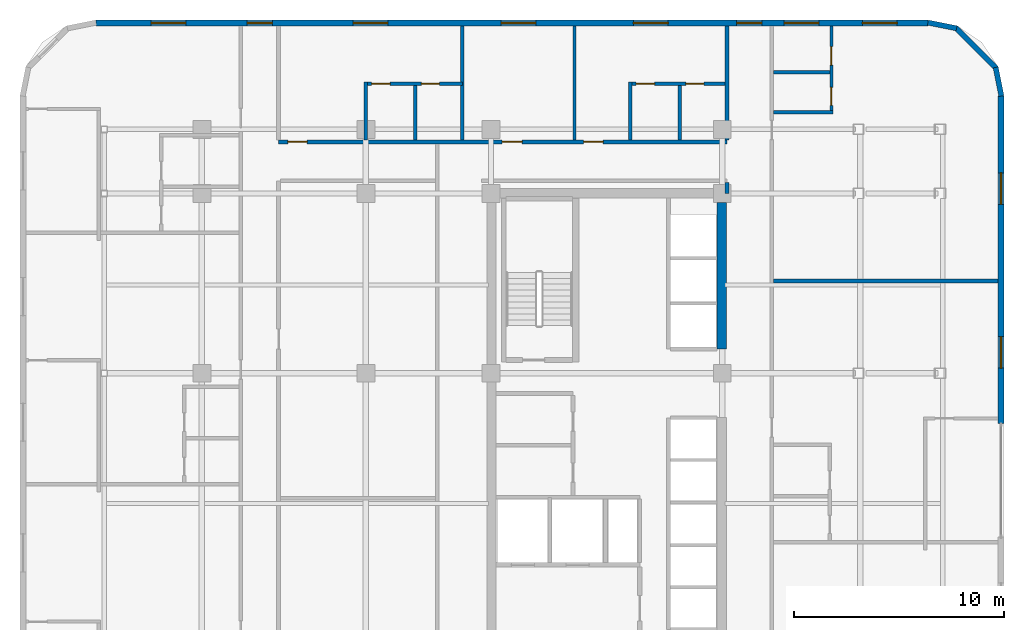
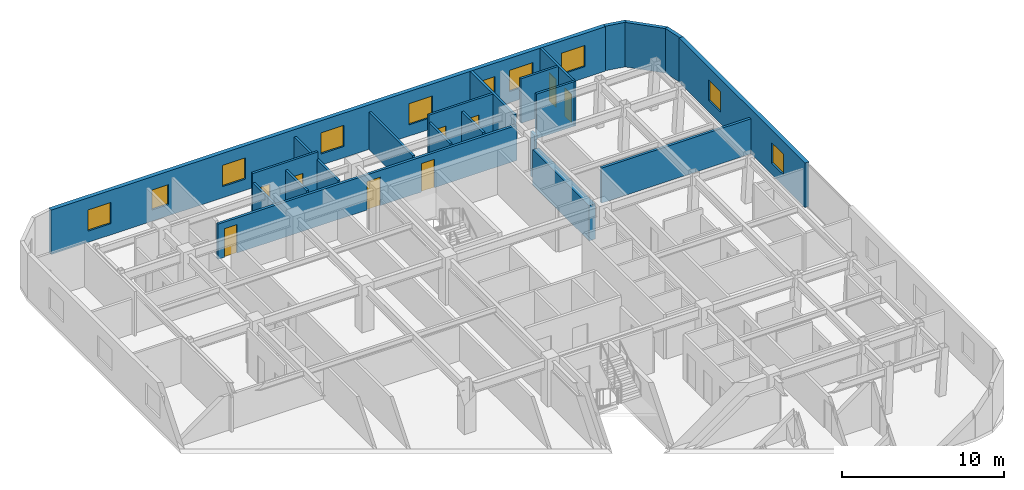
# One storey, part 11 of 13: 21 walls, 10 windows, 9 doors, 19 openings.
"""IFC4 building model written with IfcOpenShell, lengths in metres."""

import ifcopenshell
import ifcopenshell.guid

model = None  # the IFC model being written
_history = None  # IfcOwnerHistory: only IFC2X3 demands one
_inside = {}  # id of a spatial element -> (the spatial element, [elements in it])
_under = {}  # id of a project, library or spatial element -> (it, [spatial elements below it])
_declared = {}  # id of a project -> (the project, [libraries it declares])
_typed = {}  # id of a type object -> (the type object, [elements of that type])
_made_of = {}  # id of a material, layer set ... -> (it, [elements and type objects made of it])


def new_model(schema):
    """Start an empty IFC model of exactly this schema.

    Asked for "IFC4X3", IfcOpenShell would pick the latest addendum, in which some entities
    have other attributes; the version numbers below select the first issue.
    IFC2X3 requires an IfcOwnerHistory on every rooted entity: one is made here for all.
    """
    global model, _history
    if schema == "IFC4X3":
        model = ifcopenshell.file(schema_version=(4, 3, 0, 0))
    else:
        model = ifcopenshell.file(schema=schema)
    _inside.clear()
    _under.clear()
    _declared.clear()
    _typed.clear()
    _made_of.clear()
    _history = None
    if model.schema == "IFC2X3":
        org = make("IfcOrganization", Name="unknown")
        user = make(
            "IfcPersonAndOrganization",
            ThePerson=make("IfcPerson", FamilyName="unknown"),
            TheOrganization=org,
        )
        app = make(
            "IfcApplication",
            ApplicationDeveloper=org,
            Version="unknown",
            ApplicationFullName="unknown",
            ApplicationIdentifier="unknown",
        )
        _history = make(
            "IfcOwnerHistory",
            OwningUser=user,
            OwningApplication=app,
            ChangeAction="ADDED",
            CreationDate=0,
        )
    return model


def make(cls, **values):
    """One entity of the class cls with the attributes given. An attribute that is None is left unset."""
    return model.create_entity(
        cls, **{name: value for name, value in values.items() if value is not None}
    )


def rooted(cls, **values):
    """An entity with a GlobalId (a new one), such as an element, a storey or a relation."""
    return make(cls, GlobalId=ifcopenshell.guid.new(), OwnerHistory=_history, **values)


def si_unit(unit_type, name, prefix=None):
    """IfcSIUnit, for example si_unit("LENGTHUNIT", "METRE", prefix="MILLI")."""
    return make("IfcSIUnit", UnitType=unit_type, Prefix=prefix, Name=name)


def assignment(units):
    """IfcUnitAssignment: the units of a project."""
    return None if units is None else make("IfcUnitAssignment", Units=units)


def point(xyz):
    """IfcCartesianPoint."""
    return None if xyz is None else make("IfcCartesianPoint", Coordinates=xyz)


def direction(xyz):
    """IfcDirection."""
    return None if xyz is None else make("IfcDirection", DirectionRatios=xyz)


def frame(location, z_axis=None, x_axis=None):
    """IfcAxis2Placement3D, a coordinate frame: its origin and axes. An axis left out is left unset."""
    return make(
        "IfcAxis2Placement3D",
        Location=point(location),
        Axis=direction(z_axis),
        RefDirection=direction(x_axis),
    )


def frame_2d(location, x_axis=None):
    """IfcAxis2Placement2D, a coordinate frame in the plane: its origin and x axis."""
    return make(
        "IfcAxis2Placement2D", Location=point(location), RefDirection=direction(x_axis)
    )


def origin():
    """The frame at (0, 0, 0) with its axes left unset."""
    return frame((0.0, 0.0, 0.0))


def place(relative_to, where):
    """IfcLocalPlacement: puts the frame where relative to a parent placement (None: the world)."""
    return make(
        "IfcLocalPlacement", PlacementRelTo=relative_to, RelativePlacement=where
    )


def context(
    kind, dimensions, precision=None, world=None, true_north=None, identifier=None
):
    """IfcGeometricRepresentationContext, for example the 3D "Model" context."""
    return make(
        "IfcGeometricRepresentationContext",
        ContextIdentifier=identifier,
        ContextType=kind,
        CoordinateSpaceDimension=dimensions,
        Precision=precision,
        WorldCoordinateSystem=world,
        TrueNorth=true_north,
    )


def subcontext(parent, identifier, kind, view, scale=None):
    """IfcGeometricRepresentationSubContext, for example "Body" below "Model"."""
    return make(
        "IfcGeometricRepresentationSubContext",
        ContextIdentifier=identifier,
        ContextType=kind,
        ParentContext=parent,
        TargetScale=scale,
        TargetView=view,
    )


def project(units=None, contexts=None):
    """IfcProject with its units and contexts."""
    return rooted(
        "IfcProject",
        Name="project",
        RepresentationContexts=contexts,
        UnitsInContext=assignment(units),
    )


def spatial(cls, under=None, at=None, **own):
    """A site, building, storey or space (cls), placed at a placement, below another one or the project."""
    s = rooted(cls, ObjectPlacement=at, **own)
    if under is not None:
        _under.setdefault(under.id(), (under, []))[1].append(s)
    return s


def profile(cls, at=None, kind="AREA", **sizes):
    """A parametric profile (cls). Its sizes go by their IFC names, for example OverallWidth=200.0."""
    return make(cls, ProfileType=kind, Position=at, **sizes)


def rectangle(**sizes):
    """IfcRectangleProfileDef."""
    return profile("IfcRectangleProfileDef", **sizes)


def extrude(swept, where, along, depth):
    """IfcExtrudedAreaSolid: the profile swept, set in the frame where, extruded along a direction by depth."""
    return make(
        "IfcExtrudedAreaSolid",
        SweptArea=swept,
        Position=where,
        ExtrudedDirection=direction(along),
        Depth=depth,
    )


def shape(context_of_items, identifier, shape_type, items):
    """IfcShapeRepresentation: the items that make up one representation, for example the "Body"."""
    return make(
        "IfcShapeRepresentation",
        ContextOfItems=context_of_items,
        RepresentationIdentifier=identifier,
        RepresentationType=shape_type,
        Items=items,
    )


def material(Name=None, Category=None):
    """IfcMaterial."""
    return make("IfcMaterial", Name=Name, Category=Category)


def layer(
    of_material, thickness, ventilated=None, Name=None, Category=None, Priority=None
):
    """IfcMaterialLayer: one layer of a wall or slab, of a material (None: an air gap)."""
    return make(
        "IfcMaterialLayer",
        Material=of_material,
        LayerThickness=thickness,
        IsVentilated=ventilated,
        Name=Name,
        Category=Category,
        Priority=Priority,
    )


def layer_set(layers, Name=None):
    """IfcMaterialLayerSet."""
    return make("IfcMaterialLayerSet", MaterialLayers=layers, LayerSetName=Name)


def made_of(thing, what):
    """Note that an element or type object is made of a material, layer set ...; save() writes the relation."""
    if what is not None:
        _made_of.setdefault(what.id(), (what, []))[1].append(thing)
    return thing


def type_object(cls, material=None, **own):
    """A type object (cls), such as IfcWallType, which elements share."""
    return made_of(rooted(cls, **own), material)


def element(
    cls,
    number,
    at=None,
    inside=None,
    cuts=None,
    type_object=None,
    material=None,
    context=None,
    identifier="Body",
    shape_type=None,
    held_by="IfcProductDefinitionShape",
    body=None,
    shapes=None,
    **own,
):
    """One element of the class cls, such as IfcWall. Its Tag is "e" and its number.

    at: its placement. inside: the storey or other place that contains it. cuts: it is an
    opening in that element (IfcRelVoidsElement). A single representation is given by context,
    identifier, shape_type and body (its items); several are given by shapes. held_by: the class
    of the entity that holds the representations. save() writes the other relations.
    """
    e = rooted(cls, Tag="e%d" % number, ObjectPlacement=at, **own)
    if body is not None:
        shapes = [shape(context, identifier, shape_type, body)]
    if shapes is not None:
        e.Representation = make(held_by, Representations=shapes)
    if inside is not None:
        _inside.setdefault(inside.id(), (inside, []))[1].append(e)
    if cuts is not None:
        rooted(
            "IfcRelVoidsElement", RelatingBuildingElement=cuts, RelatedOpeningElement=e
        )
    if type_object is not None:
        _typed.setdefault(type_object.id(), (type_object, []))[1].append(e)
    return made_of(e, material)


def fill(opening, filler):
    """IfcRelFillsElement: the door or window that sits in an opening."""
    return rooted(
        "IfcRelFillsElement",
        RelatingOpeningElement=opening,
        RelatedBuildingElement=filler,
    )


def aggregate(whole, parts):
    """IfcRelAggregates: a whole, such as a stair, and the parts it consists of."""
    return rooted("IfcRelAggregates", RelatingObject=whole, RelatedObjects=parts)


def save(model, path):
    """Write the relations noted so far, then the file.

    IfcRelAggregates (storeys below a building ...), IfcRelContainedInSpatialStructure (elements
    in a storey), IfcRelDefinesByType, IfcRelAssociatesMaterial and IfcRelDeclares: one each for
    every whole, place, type object, material and project.
    """
    for whole, parts in _under.values():
        aggregate(whole, parts)
    for where, things in _inside.values():
        rooted(
            "IfcRelContainedInSpatialStructure",
            RelatedElements=things,
            RelatingStructure=where,
        )
    for kind, things in _typed.values():
        rooted("IfcRelDefinesByType", RelatedObjects=things, RelatingType=kind)
    for what, things in _made_of.values():
        rooted("IfcRelAssociatesMaterial", RelatedObjects=things, RelatingMaterial=what)
    for by, libraries in _declared.values():
        rooted("IfcRelDeclares", RelatingContext=by, RelatedDefinitions=libraries)
    model.write(path)


model = new_model("IFC4")

# Units and contexts
model_context = context("Model", 3, precision=1e-05, world=origin(), true_north=direction((0.0, 1.0)))
body_context = subcontext(model_context, "Body", "Model", "MODEL_VIEW")
ifc_project = project(units=[si_unit("LENGTHUNIT", "METRE"), si_unit("AREAUNIT", "SQUARE_METRE"), si_unit("VOLUMEUNIT", "CUBIC_METRE"), si_unit("PLANEANGLEUNIT", "RADIAN"), si_unit("MASSUNIT", "GRAM", prefix="KILO")], contexts=[model_context])

# Site, building, storey
site_placement = place(None, origin())
site = spatial("IfcSite", under=ifc_project, at=site_placement, CompositionType="ELEMENT")
building_placement = place(site_placement, origin())
building = spatial("IfcBuilding", under=site, at=building_placement, Name="Ochreholt Gables", CompositionType="ELEMENT")
storey_placement = place(building_placement, frame((0.0, 0.0, 49.199951171875)))
storey = spatial("IfcBuildingStorey", under=building, at=storey_placement, Name="L12", CompositionType="ELEMENT", Elevation=49.199951171875)

# Wall
ifc_material_1 = material(Name="Concrete 60 MPa", Category="concrete")
ifc_layer_1 = layer(ifc_material_1, 0.449951171875, Name="Concrete 60 MPa")
ifc_layer_set_1 = layer_set([ifc_layer_1], Name="Concrete 60 MPa")
wall_type_1 = type_object("IfcWallType", Name="WALL-CSW-450", PredefinedType="SHEAR", material=ifc_layer_set_1)
wall_1_placement = place(storey_placement, frame((35.175048828125, 31.35009765625, 0.0), z_axis=(0.0, 0.0, 1.0), x_axis=(0.0, 1.0, 0.0)))
element("IfcWall", 1, at=wall_1_placement, inside=storey, type_object=wall_type_1, Name="L12 Core North-East Shear Wall", PredefinedType="SHEAR", context=body_context, shape_type="SweptSolid", body=[
    extrude(rectangle(XDim=6.974853515625, YDim=0.449951171875, at=frame_2d((3.4873046875, 0.0))), origin(), (0.0, 0.0, 1.0), 2.6669921875),
])

# Wall, openings, windows
ifc_material_2 = material(Name="Precast concrete 40 MPa", Category="concrete")
ifc_layer_2 = layer(ifc_material_2, 0.2900390625, Name="Precast concrete 40 MPa")
ifc_layer_set_2 = layer_set([ifc_layer_2], Name="Precast concrete 40 MPa")
wall_type_2 = type_object("IfcWallType", Name="WALL-EXT-290", PredefinedType="SOLIDWALL", material=ifc_layer_set_2)
wall_2_placement = place(storey_placement, frame((48.455078125, 27.800048828125, 0.0), z_axis=(0.0, 0.0, 1.0), x_axis=(0.0, 1.0, 0.0)))
wall_2 = element("IfcWall", 2, at=wall_2_placement, inside=storey, type_object=wall_type_2, Name="L12 East Facade Wall 2", PredefinedType="SOLIDWALL", context=body_context, shape_type="SweptSolid", body=[
    extrude(rectangle(XDim=15.579833984375, YDim=0.2900390625, at=frame_2d((7.7900390625, 0.0))), origin(), (0.0, 0.0, 1.0), 3.360107421875),
])
opening_1_placement = place(wall_2_placement, frame((2.639892578125, 0.0, 0.85009765625)))
opening_1 = element("IfcOpeningElement", 3, at=opening_1_placement, cuts=wall_2, Name="Opening WN-2", PredefinedType="OPENING", context=body_context, shape_type="SweptSolid", body=[
    extrude(rectangle(XDim=1.5, YDim=1.550048828125, at=frame_2d((0.75, 0.77490234375))), frame((0.0, 0.155029296875, 0.0), z_axis=(0.0, -1.0, 0.0), x_axis=(1.0, 0.0, 0.0)), (0.0, 0.0, 1.0), 0.31005859375),
])
opening_2_placement = place(wall_2_placement, frame((10.429931640625, 0.0, 0.85009765625)))
opening_2 = element("IfcOpeningElement", 4, at=opening_2_placement, cuts=wall_2, Name="Opening WN-2", PredefinedType="OPENING", context=body_context, shape_type="SweptSolid", body=[
    extrude(rectangle(XDim=1.5, YDim=1.550048828125, at=frame_2d((0.75, 0.77490234375))), frame((0.0, 0.155029296875, 0.0), z_axis=(0.0, -1.0, 0.0), x_axis=(1.0, 0.0, 0.0)), (0.0, 0.0, 1.0), 0.31005859375),
])
ifc_material_3 = material(Name="Triple-Glazed Thermally Broken Aluminium Window", Category="aluminium")
window_type_1 = type_object("IfcWindowType", Name="WIN-RES-1500", PartitioningType="SINGLE_PANEL", PredefinedType="WINDOW", material=ifc_material_3)
window_1_placement = place(opening_1_placement, origin())
window_1 = element("IfcWindow", 5, at=window_1_placement, inside=storey, type_object=window_type_1, Name="L12 Window W-EXT-E2-L12-1", OverallHeight=1.550048828125, OverallWidth=1.5, PartitioningType="SINGLE_PANEL", PredefinedType="WINDOW", context=body_context, shape_type="SweptSolid", body=[
    extrude(rectangle(XDim=1.5, YDim=1.550048828125, at=frame_2d((0.75, 0.77490234375))), frame((0.0, 0.030029296875, 0.0), z_axis=(0.0, -1.0, 0.0), x_axis=(1.0, 0.0, 0.0)), (0.0, 0.0, 1.0), 0.06005859375),
])
fill(opening_1, window_1)
window_2_placement = place(opening_2_placement, origin())
window_2 = element("IfcWindow", 6, at=window_2_placement, inside=storey, type_object=window_type_1, Name="L12 Window W-EXT-E2-L12-2", OverallHeight=1.550048828125, OverallWidth=1.5, PartitioningType="SINGLE_PANEL", PredefinedType="WINDOW", context=body_context, shape_type="SweptSolid", body=[
    extrude(rectangle(XDim=1.5, YDim=1.550048828125, at=frame_2d((0.75, 0.77490234375))), frame((0.0, 0.030029296875, 0.0), z_axis=(0.0, -1.0, 0.0), x_axis=(1.0, 0.0, 0.0)), (0.0, 0.0, 1.0), 0.06005859375),
])
fill(opening_2, window_2)

wall_3_placement = place(storey_placement, frame((44.97998046875, 46.85498046875, 0.0), z_axis=(0.0, 0.0, 1.0), x_axis=(-1.0, 0.0, 0.0)))
wall_3 = element("IfcWall", 7, at=wall_3_placement, inside=storey, type_object=wall_type_2, Name="L12 North Exterior Wall", PredefinedType="SOLIDWALL", context=body_context, shape_type="SweptSolid", body=[
    extrude(rectangle(XDim=39.56005859375, YDim=0.2900390625, at=frame_2d((19.780029296875, 0.0))), origin(), (0.0, 0.0, 1.0), 3.360107421875),
])
opening_3_placement = place(wall_3_placement, frame((35.294921875, 0.0, 0.85009765625)))
opening_3 = element("IfcOpeningElement", 8, at=opening_3_placement, cuts=wall_3, Name="Opening WN-7", PredefinedType="OPENING", context=body_context, shape_type="SweptSolid", body=[
    extrude(rectangle(XDim=1.64990234375, YDim=1.60009765625, at=frame_2d((0.824951171875, 0.800048828125))), frame((0.0, 0.155029296875, 0.0), z_axis=(0.0, -1.0, 0.0), x_axis=(1.0, 0.0, 0.0)), (0.0, 0.0, 1.0), 0.31005859375),
])
opening_4_placement = place(wall_3_placement, frame((31.179931640625, 0.0, 0.85009765625)))
opening_4 = element("IfcOpeningElement", 9, at=opening_4_placement, cuts=wall_3, Name="Opening WN-3", PredefinedType="OPENING", context=body_context, shape_type="SweptSolid", body=[
    extrude(rectangle(XDim=1.199951171875, YDim=1.5, at=frame_2d((0.60009765625, 0.75))), frame((0.0, 0.155029296875, 0.0), z_axis=(0.0, -1.0, 0.0), x_axis=(1.0, 0.0, 0.0)), (0.0, 0.0, 1.0), 0.31005859375),
])
opening_5_placement = place(wall_3_placement, frame((25.684326171875, 0.0, 0.85009765625)))
opening_5 = element("IfcOpeningElement", 10, at=opening_5_placement, cuts=wall_3, Name="Opening WN-7", PredefinedType="OPENING", context=body_context, shape_type="SweptSolid", body=[
    extrude(rectangle(XDim=1.64990234375, YDim=1.60009765625, at=frame_2d((0.824951171875, 0.800048828125))), frame((0.0, 0.155029296875, 0.0), z_axis=(0.0, -1.0, 0.0), x_axis=(1.0, 0.0, 0.0)), (0.0, 0.0, 1.0), 0.31005859375),
])
opening_6_placement = place(wall_3_placement, frame((18.648681640625, 0.0, 0.85009765625)))
opening_6 = element("IfcOpeningElement", 11, at=opening_6_placement, cuts=wall_3, Name="Opening WN-7", PredefinedType="OPENING", context=body_context, shape_type="SweptSolid", body=[
    extrude(rectangle(XDim=1.64990234375, YDim=1.60009765625, at=frame_2d((0.824951171875, 0.800048828125))), frame((0.0, 0.155029296875, 0.0), z_axis=(0.0, -1.0, 0.0), x_axis=(1.0, 0.0, 0.0)), (0.0, 0.0, 1.0), 0.31005859375),
])
opening_7_placement = place(wall_3_placement, frame((12.359375, 0.0, 0.85009765625)))
opening_7 = element("IfcOpeningElement", 12, at=opening_7_placement, cuts=wall_3, Name="Opening WN-7", PredefinedType="OPENING", context=body_context, shape_type="SweptSolid", body=[
    extrude(rectangle(XDim=1.64990234375, YDim=1.60009765625, at=frame_2d((0.824951171875, 0.800048828125))), frame((0.0, 0.155029296875, 0.0), z_axis=(0.0, -1.0, 0.0), x_axis=(1.0, 0.0, 0.0)), (0.0, 0.0, 1.0), 0.31005859375),
])
opening_8_placement = place(wall_3_placement, frame((7.89501953125, 0.0, 0.85009765625)))
opening_8 = element("IfcOpeningElement", 13, at=opening_8_placement, cuts=wall_3, Name="Opening WN-3", PredefinedType="OPENING", context=body_context, shape_type="SweptSolid", body=[
    extrude(rectangle(XDim=1.199951171875, YDim=1.5, at=frame_2d((0.60009765625, 0.75))), frame((0.0, 0.155029296875, 0.0), z_axis=(0.0, -1.0, 0.0), x_axis=(1.0, 0.0, 0.0)), (0.0, 0.0, 1.0), 0.31005859375),
])
opening_9_placement = place(wall_3_placement, frame((5.18310546875, 0.0, 0.85009765625)))
opening_9 = element("IfcOpeningElement", 14, at=opening_9_placement, cuts=wall_3, Name="Opening WN-7", PredefinedType="OPENING", context=body_context, shape_type="SweptSolid", body=[
    extrude(rectangle(XDim=1.64990234375, YDim=1.60009765625, at=frame_2d((0.824951171875, 0.800048828125))), frame((0.0, 0.155029296875, 0.0), z_axis=(0.0, -1.0, 0.0), x_axis=(1.0, 0.0, 0.0)), (0.0, 0.0, 1.0), 0.31005859375),
])
opening_10_placement = place(wall_3_placement, frame((1.468017578125, 0.0, 0.85009765625)))
opening_10 = element("IfcOpeningElement", 15, at=opening_10_placement, cuts=wall_3, Name="Opening WN-7", PredefinedType="OPENING", context=body_context, shape_type="SweptSolid", body=[
    extrude(rectangle(XDim=1.64990234375, YDim=1.60009765625, at=frame_2d((0.824951171875, 0.800048828125))), frame((0.0, 0.155029296875, 0.0), z_axis=(0.0, -1.0, 0.0), x_axis=(1.0, 0.0, 0.0)), (0.0, 0.0, 1.0), 0.31005859375),
])
window_type_2 = type_object("IfcWindowType", Name="WIN-RES-1200", PartitioningType="SINGLE_PANEL", PredefinedType="WINDOW", material=ifc_material_3)
window_3_placement = place(opening_4_placement, origin())
window_3 = element("IfcWindow", 16, at=window_3_placement, inside=storey, type_object=window_type_2, Name="L12 Window W-EXT-N-L12-2", OverallHeight=1.5, OverallWidth=1.199951171875, PartitioningType="SINGLE_PANEL", PredefinedType="WINDOW", context=body_context, shape_type="SweptSolid", body=[
    extrude(rectangle(XDim=1.199951171875, YDim=1.5, at=frame_2d((0.60009765625, 0.75))), frame((0.0, 0.030029296875, 0.0), z_axis=(0.0, -1.0, 0.0), x_axis=(1.0, 0.0, 0.0)), (0.0, 0.0, 1.0), 0.06005859375),
])
fill(opening_4, window_3)
window_4_placement = place(opening_8_placement, origin())
window_4 = element("IfcWindow", 17, at=window_4_placement, inside=storey, type_object=window_type_2, Name="L12 Window W-EXT-N-L12-6", OverallHeight=1.5, OverallWidth=1.199951171875, PartitioningType="SINGLE_PANEL", PredefinedType="WINDOW", context=body_context, shape_type="SweptSolid", body=[
    extrude(rectangle(XDim=1.199951171875, YDim=1.5, at=frame_2d((0.60009765625, 0.75))), frame((0.0, 0.030029296875, 0.0), z_axis=(0.0, -1.0, 0.0), x_axis=(1.0, 0.0, 0.0)), (0.0, 0.0, 1.0), 0.06005859375),
])
fill(opening_8, window_4)
window_type_3 = type_object("IfcWindowType", Name="WIN-RES-1650", PartitioningType="SINGLE_PANEL", PredefinedType="WINDOW", material=ifc_material_3)
window_5_placement = place(opening_3_placement, origin())
window_5 = element("IfcWindow", 18, at=window_5_placement, inside=storey, type_object=window_type_3, Name="L12 Window W-EXT-N-L12-1", OverallHeight=1.60009765625, OverallWidth=1.64990234375, PartitioningType="SINGLE_PANEL", PredefinedType="WINDOW", context=body_context, shape_type="SweptSolid", body=[
    extrude(rectangle(XDim=1.64990234375, YDim=1.60009765625, at=frame_2d((0.824951171875, 0.800048828125))), frame((0.0, 0.030029296875, 0.0), z_axis=(0.0, -1.0, 0.0), x_axis=(1.0, 0.0, 0.0)), (0.0, 0.0, 1.0), 0.06005859375),
])
fill(opening_3, window_5)
window_6_placement = place(opening_5_placement, origin())
window_6 = element("IfcWindow", 19, at=window_6_placement, inside=storey, type_object=window_type_3, Name="L12 Window W-EXT-N-L12-3", OverallHeight=1.60009765625, OverallWidth=1.64990234375, PartitioningType="SINGLE_PANEL", PredefinedType="WINDOW", context=body_context, shape_type="SweptSolid", body=[
    extrude(rectangle(XDim=1.64990234375, YDim=1.60009765625, at=frame_2d((0.824951171875, 0.800048828125))), frame((0.0, 0.030029296875, 0.0), z_axis=(0.0, -1.0, 0.0), x_axis=(1.0, 0.0, 0.0)), (0.0, 0.0, 1.0), 0.06005859375),
])
fill(opening_5, window_6)
window_7_placement = place(opening_6_placement, origin())
window_7 = element("IfcWindow", 20, at=window_7_placement, inside=storey, type_object=window_type_3, Name="L12 Window W-EXT-N-L12-4", OverallHeight=1.60009765625, OverallWidth=1.64990234375, PartitioningType="SINGLE_PANEL", PredefinedType="WINDOW", context=body_context, shape_type="SweptSolid", body=[
    extrude(rectangle(XDim=1.64990234375, YDim=1.60009765625, at=frame_2d((0.824951171875, 0.800048828125))), frame((0.0, 0.030029296875, 0.0), z_axis=(0.0, -1.0, 0.0), x_axis=(1.0, 0.0, 0.0)), (0.0, 0.0, 1.0), 0.06005859375),
])
fill(opening_6, window_7)
window_8_placement = place(opening_7_placement, origin())
window_8 = element("IfcWindow", 21, at=window_8_placement, inside=storey, type_object=window_type_3, Name="L12 Window W-EXT-N-L12-5", OverallHeight=1.60009765625, OverallWidth=1.64990234375, PartitioningType="SINGLE_PANEL", PredefinedType="WINDOW", context=body_context, shape_type="SweptSolid", body=[
    extrude(rectangle(XDim=1.64990234375, YDim=1.60009765625, at=frame_2d((0.824951171875, 0.800048828125))), frame((0.0, 0.030029296875, 0.0), z_axis=(0.0, -1.0, 0.0), x_axis=(1.0, 0.0, 0.0)), (0.0, 0.0, 1.0), 0.06005859375),
])
fill(opening_7, window_8)
window_9_placement = place(opening_9_placement, origin())
window_9 = element("IfcWindow", 22, at=window_9_placement, inside=storey, type_object=window_type_3, Name="L12 Window W-EXT-N-L12-7", OverallHeight=1.60009765625, OverallWidth=1.64990234375, PartitioningType="SINGLE_PANEL", PredefinedType="WINDOW", context=body_context, shape_type="SweptSolid", body=[
    extrude(rectangle(XDim=1.64990234375, YDim=1.60009765625, at=frame_2d((0.824951171875, 0.800048828125))), frame((0.0, 0.030029296875, 0.0), z_axis=(0.0, -1.0, 0.0), x_axis=(1.0, 0.0, 0.0)), (0.0, 0.0, 1.0), 0.06005859375),
])
fill(opening_9, window_9)
window_10_placement = place(opening_10_placement, origin())
window_10 = element("IfcWindow", 23, at=window_10_placement, inside=storey, type_object=window_type_3, Name="L12 Window W-EXT-N-L12-8", OverallHeight=1.60009765625, OverallWidth=1.64990234375, PartitioningType="SINGLE_PANEL", PredefinedType="WINDOW", context=body_context, shape_type="SweptSolid", body=[
    extrude(rectangle(XDim=1.64990234375, YDim=1.60009765625, at=frame_2d((0.824951171875, 0.800048828125))), frame((0.0, 0.030029296875, 0.0), z_axis=(0.0, -1.0, 0.0), x_axis=(1.0, 0.0, 0.0)), (0.0, 0.0, 1.0), 0.06005859375),
])
fill(opening_10, window_10)

# Walls
ifc_layer_3 = layer(ifc_material_2, 0.25, Name="Precast concrete 40 MPa")
ifc_layer_set_3 = layer_set([ifc_layer_3], Name="Precast concrete 40 MPa")
wall_type_3 = type_object("IfcWallType", Name="WALL-EXT-CNR", PredefinedType="SOLIDWALL", material=ifc_layer_set_3)
wall_4_placement = place(storey_placement, frame((48.475830078125, 43.383544921875, 0.0), z_axis=(0.0, 0.0, 1.0), x_axis=(-0.19496651342, 0.980809899341, 0.0)))
element("IfcWall", 24, at=wall_4_placement, inside=storey, type_object=wall_type_3, Name="L12 Rounded Corner Wall NE-1", PredefinedType="SOLIDWALL", context=body_context, shape_type="SweptSolid", body=[
    extrude(rectangle(XDim=1.388671875, YDim=0.25, at=frame_2d((0.6943359375, 0.0))), origin(), (0.0, 0.0, 1.0), 3.360107421875),
])
wall_5_placement = place(storey_placement, frame((48.23193359375, 44.695068359375, 0.0), z_axis=(0.0, 0.0, 1.0), x_axis=(-0.707106781187, 0.707106781187, 0.0)))
element("IfcWall", 25, at=wall_5_placement, inside=storey, type_object=wall_type_3, Name="L12 Rounded Corner Wall NE-2", PredefinedType="SOLIDWALL", context=body_context, shape_type="SweptSolid", body=[
    extrude(rectangle(XDim=2.7392578125, YDim=0.25, at=frame_2d((1.36962890625, 0.0))), origin(), (0.0, 0.0, 1.0), 3.360107421875),
])
wall_6_placement = place(storey_placement, frame((46.345458984375, 46.60498046875, 0.0), z_axis=(0.0, 0.0, 1.0), x_axis=(-0.980809899341, 0.19496651342, 0.0)))
element("IfcWall", 26, at=wall_6_placement, inside=storey, type_object=wall_type_3, Name="L12 Rounded Corner Wall NE-3", PredefinedType="SOLIDWALL", context=body_context, shape_type="SweptSolid", body=[
    extrude(rectangle(XDim=1.388671875, YDim=0.25, at=frame_2d((0.6943359375, 0.0))), origin(), (0.0, 0.0, 1.0), 3.360107421875),
])

# Wall, openings, doors
ifc_material_4 = material(Name="Fire-Rated Gypsum Acoustic Partition", Category="gypsum")
ifc_layer_4 = layer(ifc_material_4, 0.179931640625, Name="Fire-Rated Gypsum Acoustic Partition")
ifc_layer_set_4 = layer_set([ifc_layer_4], Name="Fire-Rated Gypsum Acoustic Partition")
wall_type_4 = type_object("IfcWallType", Name="WALL-INT-CR180", PredefinedType="STANDARD", material=ifc_layer_set_4)
wall_7_placement = place(storey_placement, frame((14.10009765625, 41.199951171875, 0.0), z_axis=(0.0, 0.0, 1.0), x_axis=(1.0, 0.0, 0.0)))
wall_7 = element("IfcWall", 27, at=wall_7_placement, inside=storey, type_object=wall_type_4, Name="L12 Interior Wall WI-C1N-L12", PredefinedType="STANDARD", context=body_context, shape_type="SweptSolid", body=[
    extrude(rectangle(XDim=21.31982421875, YDim=0.179931640625, at=frame_2d((10.659912109375, 0.0))), origin(), (0.0, 0.0, 1.0), 2.649169921875),
])
opening_11_placement = place(wall_7_placement, frame((0.43994140625, 0.0, 0.0)))
opening_11 = element("IfcOpeningElement", 28, at=opening_11_placement, cuts=wall_7, Name="Opening D-UN1", PredefinedType="OPENING", context=body_context, shape_type="SweptSolid", body=[
    extrude(rectangle(XDim=0.919921875, YDim=2.14990234375, at=frame_2d((0.4599609375, 1.074951171875))), frame((0.0, 0.099853515625, 0.0), z_axis=(0.0, -1.0, 0.0), x_axis=(1.0, 0.0, 0.0)), (0.0, 0.0, 1.0), 0.199951171875),
])
opening_12_placement = place(wall_7_placement, frame((10.631103515625, 0.0, 0.0)))
opening_12 = element("IfcOpeningElement", 29, at=opening_12_placement, cuts=wall_7, Name="Opening D-GN1", PredefinedType="OPENING", context=body_context, shape_type="SweptSolid", body=[
    extrude(rectangle(XDim=0.949951171875, YDim=2.14990234375, at=frame_2d((0.47509765625, 1.074951171875))), frame((0.0, 0.099853515625, 0.0), z_axis=(0.0, -1.0, 0.0), x_axis=(1.0, 0.0, 0.0)), (0.0, 0.0, 1.0), 0.199951171875),
])
opening_13_placement = place(wall_7_placement, frame((14.51123046875, 0.0, 0.0)))
opening_13 = element("IfcOpeningElement", 30, at=opening_13_placement, cuts=wall_7, Name="Opening D-UN1", PredefinedType="OPENING", context=body_context, shape_type="SweptSolid", body=[
    extrude(rectangle(XDim=0.919921875, YDim=2.14990234375, at=frame_2d((0.4599609375, 1.074951171875))), frame((0.0, 0.099853515625, 0.0), z_axis=(0.0, -1.0, 0.0), x_axis=(1.0, 0.0, 0.0)), (0.0, 0.0, 1.0), 0.199951171875),
])
ifc_material_5 = material(Name="Engineered Oak Timber", Category="wood")
door_type_1 = type_object("IfcDoorType", Name="DR-INT-GEN950", OperationType="NOTDEFINED", PredefinedType="DOOR", material=ifc_material_5)
door_1_placement = place(opening_12_placement, origin())
door_1 = element("IfcDoor", 31, at=door_1_placement, inside=storey, type_object=door_type_1, Name="L12 Door D-C1N3-L12", OperationType="SINGLE_SWING_RIGHT", OverallHeight=2.14990234375, OverallWidth=0.949951171875, PredefinedType="DOOR", context=body_context, shape_type="SweptSolid", body=[
    extrude(rectangle(XDim=0.949951171875, YDim=2.14990234375, at=frame_2d((0.47509765625, 1.074951171875))), frame((0.0, 0.02490234375, 0.0), z_axis=(0.0, -1.0, 0.0), x_axis=(1.0, 0.0, 0.0)), (0.0, 0.0, 1.0), 0.050048828125),
])
fill(opening_12, door_1)
door_type_2 = type_object("IfcDoorType", Name="DR-INT-UNT920", OperationType="NOTDEFINED", PredefinedType="DOOR", material=ifc_material_5)
door_2_placement = place(opening_11_placement, origin())
door_2 = element("IfcDoor", 32, at=door_2_placement, inside=storey, type_object=door_type_2, Name="L12 Door D-U-L12N1-ENT", OperationType="SINGLE_SWING_LEFT", OverallHeight=2.14990234375, OverallWidth=0.919921875, PredefinedType="DOOR", context=body_context, shape_type="SweptSolid", body=[
    extrude(rectangle(XDim=0.919921875, YDim=2.14990234375, at=frame_2d((0.4599609375, 1.074951171875))), frame((0.0, 0.02490234375, 0.0), z_axis=(0.0, -1.0, 0.0), x_axis=(1.0, 0.0, 0.0)), (0.0, 0.0, 1.0), 0.050048828125),
])
fill(opening_11, door_2)
door_3_placement = place(opening_13_placement, origin())
door_3 = element("IfcDoor", 33, at=door_3_placement, inside=storey, type_object=door_type_2, Name="L12 Door D-U-L12N3-ENT", OperationType="SINGLE_SWING_LEFT", OverallHeight=2.14990234375, OverallWidth=0.919921875, PredefinedType="DOOR", context=body_context, shape_type="SweptSolid", body=[
    extrude(rectangle(XDim=0.919921875, YDim=2.14990234375, at=frame_2d((0.4599609375, 1.074951171875))), frame((0.0, 0.02490234375, 0.0), z_axis=(0.0, -1.0, 0.0), x_axis=(1.0, 0.0, 0.0)), (0.0, 0.0, 1.0), 0.050048828125),
])
fill(opening_13, door_3)

# Walls
wall_8_placement = place(storey_placement, frame((35.419921875, 38.75, 0.0), z_axis=(0.0, 0.0, 1.0), x_axis=(0.0, 1.0, 0.0)))
element("IfcWall", 34, at=wall_8_placement, inside=storey, type_object=wall_type_4, Name="L12 Interior Wall WI-C1ENW2-L12", PredefinedType="STANDARD", context=body_context, shape_type="SweptSolid", body=[
    extrude(rectangle(XDim=0.510009765625, YDim=0.179931640625, at=frame_2d((0.2548828125, 0.0))), origin(), (0.0, 0.0, 1.0), 3.360107421875),
])
ifc_material_6 = material(Name="Double-Stud Acoustic Demising Wall", Category="gypsum")
ifc_layer_5 = layer(ifc_material_6, 0.179931640625, Name="Double-Stud Acoustic Demising Wall")
ifc_layer_set_5 = layer_set([ifc_layer_5], Name="Double-Stud Acoustic Demising Wall")
wall_type_5 = type_object("IfcWallType", Name="WALL-INT-DM180", PredefinedType="PARTITIONING", material=ifc_layer_set_5)
wall_9_placement = place(storey_placement, frame((35.419921875, 41.2900390625, 0.0), z_axis=(0.0, 0.0, 1.0), x_axis=(0.0, 1.0, 0.0)))
element("IfcWall", 35, at=wall_9_placement, inside=storey, type_object=wall_type_5, Name="L12 Interior Wall WI-C1ENW-L12", PredefinedType="PARTITIONING", context=body_context, shape_type="SweptSolid", body=[
    extrude(rectangle(XDim=5.419921875, YDim=0.179931640625, at=frame_2d((2.7099609375, 0.0))), origin(), (0.0, 0.0, 1.0), 3.360107421875),
])
wall_10_placement = place(storey_placement, frame((37.639892578125, 34.580078125, 0.0), z_axis=(0.0, 0.0, 1.0), x_axis=(1.0, 0.0, 0.0)))
element("IfcWall", 36, at=wall_10_placement, inside=storey, type_object=wall_type_5, Name="L12 Interior Wall WI-UDE4-L12", PredefinedType="PARTITIONING", context=body_context, shape_type="SweptSolid", body=[
    extrude(rectangle(XDim=10.670166015625, YDim=0.179931640625, at=frame_2d((5.3349609375, 0.0))), origin(), (0.0, 0.0, 1.0), 2.649169921875),
])
ifc_material_7 = material(Name="Moisture-Resistant Plumbing Chase Wall", Category="gypsum")
ifc_layer_6 = layer(ifc_material_7, 0.159912109375, Name="Moisture-Resistant Plumbing Chase Wall")
ifc_layer_set_6 = layer_set([ifc_layer_6], Name="Moisture-Resistant Plumbing Chase Wall")
wall_type_6 = type_object("IfcWallType", Name="WALL-INT-PL160", PredefinedType="PLUMBINGWALL", material=ifc_layer_set_6)
wall_11_placement = place(storey_placement, frame((37.639892578125, 42.610107421875, 0.0), z_axis=(0.0, 0.0, 1.0), x_axis=(1.0, 0.0, 0.0)))
element("IfcWall", 37, at=wall_11_placement, inside=storey, type_object=wall_type_6, Name="L12 Interior Wall WU-L12E4-WYS", PredefinedType="PLUMBINGWALL", context=body_context, shape_type="SweptSolid", body=[
    extrude(rectangle(XDim=2.834228515625, YDim=0.159912109375, at=frame_2d((1.4169921875, 0.0))), origin(), (0.0, 0.0, 1.0), 3.360107421875),
])

# Wall, openings, doors
wall_12_placement = place(storey_placement, frame((40.39404296875, 42.52001953125, 0.0), z_axis=(0.0, 0.0, 1.0), x_axis=(0.0, 1.0, 0.0)))
wall_12 = element("IfcWall", 38, at=wall_12_placement, inside=storey, type_object=wall_type_6, Name="L12 Interior Wall WU-L12E4-WX", PredefinedType="PLUMBINGWALL", context=body_context, shape_type="SweptSolid", body=[
    extrude(rectangle(XDim=4.18994140625, YDim=0.159912109375, at=frame_2d((2.094970703125, 0.0))), origin(), (0.0, 0.0, 1.0), 3.360107421875),
])
opening_14_placement = place(wall_12_placement, frame((0.419921875, 0.0, 0.0)))
opening_14 = element("IfcOpeningElement", 39, at=opening_14_placement, cuts=wall_12, Name="Opening D-BT1", PredefinedType="OPENING", context=body_context, shape_type="SweptSolid", body=[
    extrude(rectangle(XDim=0.860107421875, YDim=2.1201171875, at=frame_2d((0.43017578125, 1.06005859375))), frame((0.0, 0.08984375, 0.0), z_axis=(0.0, -1.0, 0.0), x_axis=(1.0, 0.0, 0.0)), (0.0, 0.0, 1.0), 0.179931640625),
])
opening_15_placement = place(wall_12_placement, frame((2.3291015625, 0.0, 0.0)))
opening_15 = element("IfcOpeningElement", 40, at=opening_15_placement, cuts=wall_12, Name="Opening D-GN2", PredefinedType="OPENING", context=body_context, shape_type="SweptSolid", body=[
    extrude(rectangle(XDim=0.8798828125, YDim=2.1201171875, at=frame_2d((0.43994140625, 1.06005859375))), frame((0.0, 0.08984375, 0.0), z_axis=(0.0, -1.0, 0.0), x_axis=(1.0, 0.0, 0.0)), (0.0, 0.0, 1.0), 0.179931640625),
])
door_type_3 = type_object("IfcDoorType", Name="DR-INT-BTH860", OperationType="NOTDEFINED", PredefinedType="DOOR", material=ifc_material_5)
door_4_placement = place(opening_14_placement, origin())
door_4 = element("IfcDoor", 41, at=door_4_placement, inside=storey, type_object=door_type_3, Name="L12 Door D-U-L12E4-BTH", OperationType="SINGLE_SWING_RIGHT", OverallHeight=2.1201171875, OverallWidth=0.860107421875, PredefinedType="DOOR", context=body_context, shape_type="SweptSolid", body=[
    extrude(rectangle(XDim=0.860107421875, YDim=2.1201171875, at=frame_2d((0.43017578125, 1.06005859375))), frame((0.0, 0.02490234375, 0.0), z_axis=(0.0, -1.0, 0.0), x_axis=(1.0, 0.0, 0.0)), (0.0, 0.0, 1.0), 0.050048828125),
])
fill(opening_14, door_4)
door_type_4 = type_object("IfcDoorType", Name="DR-INT-GEN880", OperationType="NOTDEFINED", PredefinedType="DOOR", material=ifc_material_5)
door_5_placement = place(opening_15_placement, origin())
door_5 = element("IfcDoor", 42, at=door_5_placement, inside=storey, type_object=door_type_4, Name="L12 Door D-U-L12E4-KIT", OperationType="SINGLE_SWING_LEFT", OverallHeight=2.1201171875, OverallWidth=0.8798828125, PredefinedType="DOOR", context=body_context, shape_type="SweptSolid", body=[
    extrude(rectangle(XDim=0.8798828125, YDim=2.1201171875, at=frame_2d((0.43994140625, 1.06005859375))), frame((0.0, 0.02490234375, 0.0), z_axis=(0.0, -1.0, 0.0), x_axis=(1.0, 0.0, 0.0)), (0.0, 0.0, 1.0), 0.050048828125),
])
fill(opening_15, door_5)

# Wall
wall_13_placement = place(storey_placement, frame((37.639892578125, 44.51904296875, 0.0), z_axis=(0.0, 0.0, 1.0), x_axis=(1.0, 0.0, 0.0)))
element("IfcWall", 43, at=wall_13_placement, inside=storey, type_object=wall_type_6, Name="L12 Interior Wall WU-L12E4-WM", PredefinedType="PLUMBINGWALL", context=body_context, shape_type="SweptSolid", body=[
    extrude(rectangle(XDim=2.674072265625, YDim=0.159912109375, at=frame_2d((1.3369140625, 0.0))), origin(), (0.0, 0.0, 1.0), 3.360107421875),
])

# Wall, openings, doors
wall_14_placement = place(storey_placement, frame((18.171142578125, 43.969970703125, 0.0), z_axis=(0.0, 0.0, 1.0), x_axis=(1.0, 0.0, 0.0)))
wall_14 = element("IfcWall", 44, at=wall_14_placement, inside=storey, type_object=wall_type_6, Name="L12 Interior Wall WU-L12N1-WY", PredefinedType="PLUMBINGWALL", context=body_context, shape_type="SweptSolid", body=[
    extrude(rectangle(XDim=4.670166015625, YDim=0.159912109375, at=frame_2d((2.3349609375, 0.0))), origin(), (0.0, 0.0, 1.0), 3.360107421875),
])
opening_16_placement = place(wall_14_placement, frame((0.35009765625, 0.0, 0.0)))
opening_16 = element("IfcOpeningElement", 45, at=opening_16_placement, cuts=wall_14, Name="Opening D-GN2", PredefinedType="OPENING", context=body_context, shape_type="SweptSolid", body=[
    extrude(rectangle(XDim=0.8798828125, YDim=2.1201171875, at=frame_2d((0.43994140625, 1.06005859375))), frame((0.0, 0.08984375, 0.0), z_axis=(0.0, -1.0, 0.0), x_axis=(1.0, 0.0, 0.0)), (0.0, 0.0, 1.0), 0.179931640625),
])
opening_17_placement = place(wall_14_placement, frame((2.719970703125, 0.0, 0.0)))
opening_17 = element("IfcOpeningElement", 46, at=opening_17_placement, cuts=wall_14, Name="Opening D-BT1", PredefinedType="OPENING", context=body_context, shape_type="SweptSolid", body=[
    extrude(rectangle(XDim=0.860107421875, YDim=2.1201171875, at=frame_2d((0.43017578125, 1.06005859375))), frame((0.0, 0.08984375, 0.0), z_axis=(0.0, -1.0, 0.0), x_axis=(1.0, 0.0, 0.0)), (0.0, 0.0, 1.0), 0.179931640625),
])
door_6_placement = place(opening_17_placement, origin())
door_6 = element("IfcDoor", 47, at=door_6_placement, inside=storey, type_object=door_type_3, Name="L12 Door D-U-L12N1-BTH", OperationType="SINGLE_SWING_LEFT", OverallHeight=2.1201171875, OverallWidth=0.860107421875, PredefinedType="DOOR", context=body_context, shape_type="SweptSolid", body=[
    extrude(rectangle(XDim=0.860107421875, YDim=2.1201171875, at=frame_2d((0.43017578125, 1.06005859375))), frame((0.0, 0.02490234375, 0.0), z_axis=(0.0, -1.0, 0.0), x_axis=(1.0, 0.0, 0.0)), (0.0, 0.0, 1.0), 0.050048828125),
])
fill(opening_17, door_6)
door_7_placement = place(opening_16_placement, origin())
door_7 = element("IfcDoor", 48, at=door_7_placement, inside=storey, type_object=door_type_4, Name="L12 Door D-U-L12N1-KIT", OperationType="SINGLE_SWING_RIGHT", OverallHeight=2.1201171875, OverallWidth=0.8798828125, PredefinedType="DOOR", context=body_context, shape_type="SweptSolid", body=[
    extrude(rectangle(XDim=0.8798828125, YDim=2.1201171875, at=frame_2d((0.43994140625, 1.06005859375))), frame((0.0, 0.02490234375, 0.0), z_axis=(0.0, -1.0, 0.0), x_axis=(1.0, 0.0, 0.0)), (0.0, 0.0, 1.0), 0.050048828125),
])
fill(opening_16, door_7)

# Walls
wall_15_placement = place(storey_placement, frame((18.251220703125, 41.2900390625, 0.0), z_axis=(0.0, 0.0, 1.0), x_axis=(0.0, 1.0, 0.0)))
element("IfcWall", 49, at=wall_15_placement, inside=storey, type_object=wall_type_6, Name="L12 Interior Wall WU-L12N1-FY", PredefinedType="PLUMBINGWALL", context=body_context, shape_type="SweptSolid", body=[
    extrude(rectangle(XDim=2.760009765625, YDim=0.159912109375, at=frame_2d((1.3798828125, 0.0))), origin(), (0.0, 0.0, 1.0), 2.649169921875),
])
wall_16_placement = place(storey_placement, frame((20.59130859375, 41.2900390625, 0.0), z_axis=(0.0, 0.0, 1.0), x_axis=(0.0, 1.0, 0.0)))
element("IfcWall", 50, at=wall_16_placement, inside=storey, type_object=wall_type_6, Name="L12 Interior Wall WU-L12N1-WK", PredefinedType="PLUMBINGWALL", context=body_context, shape_type="SweptSolid", body=[
    extrude(rectangle(XDim=2.599853515625, YDim=0.159912109375, at=frame_2d((1.2998046875, 0.0))), origin(), (0.0, 0.0, 1.0), 2.80908203125),
])

# Wall, openings, doors
wall_17_placement = place(storey_placement, frame((30.75, 43.969970703125, 0.0), z_axis=(0.0, 0.0, 1.0), x_axis=(1.0, 0.0, 0.0)))
wall_17 = element("IfcWall", 51, at=wall_17_placement, inside=storey, type_object=wall_type_6, Name="L12 Interior Wall WU-L12N3-WY", PredefinedType="PLUMBINGWALL", context=body_context, shape_type="SweptSolid", body=[
    extrude(rectangle(XDim=4.580078125, YDim=0.159912109375, at=frame_2d((2.2900390625, 0.0))), origin(), (0.0, 0.0, 1.0), 3.360107421875),
])
opening_18_placement = place(wall_17_placement, frame((0.35009765625, 0.0, 0.0)))
opening_18 = element("IfcOpeningElement", 52, at=opening_18_placement, cuts=wall_17, Name="Opening D-GN2", PredefinedType="OPENING", context=body_context, shape_type="SweptSolid", body=[
    extrude(rectangle(XDim=0.8798828125, YDim=2.1201171875, at=frame_2d((0.43994140625, 1.06005859375))), frame((0.0, 0.08984375, 0.0), z_axis=(0.0, -1.0, 0.0), x_axis=(1.0, 0.0, 0.0)), (0.0, 0.0, 1.0), 0.179931640625),
])
opening_19_placement = place(wall_17_placement, frame((2.719970703125, 0.0, 0.0)))
opening_19 = element("IfcOpeningElement", 53, at=opening_19_placement, cuts=wall_17, Name="Opening D-BT1", PredefinedType="OPENING", context=body_context, shape_type="SweptSolid", body=[
    extrude(rectangle(XDim=0.860107421875, YDim=2.1201171875, at=frame_2d((0.43017578125, 1.06005859375))), frame((0.0, 0.08984375, 0.0), z_axis=(0.0, -1.0, 0.0), x_axis=(1.0, 0.0, 0.0)), (0.0, 0.0, 1.0), 0.179931640625),
])
door_8_placement = place(opening_19_placement, origin())
door_8 = element("IfcDoor", 54, at=door_8_placement, inside=storey, type_object=door_type_3, Name="L12 Door D-U-L12N3-BTH", OperationType="SINGLE_SWING_LEFT", OverallHeight=2.1201171875, OverallWidth=0.860107421875, PredefinedType="DOOR", context=body_context, shape_type="SweptSolid", body=[
    extrude(rectangle(XDim=0.860107421875, YDim=2.1201171875, at=frame_2d((0.43017578125, 1.06005859375))), frame((0.0, 0.02490234375, 0.0), z_axis=(0.0, -1.0, 0.0), x_axis=(1.0, 0.0, 0.0)), (0.0, 0.0, 1.0), 0.050048828125),
])
fill(opening_19, door_8)
door_9_placement = place(opening_18_placement, origin())
door_9 = element("IfcDoor", 55, at=door_9_placement, inside=storey, type_object=door_type_4, Name="L12 Door D-U-L12N3-KIT", OperationType="SINGLE_SWING_RIGHT", OverallHeight=2.1201171875, OverallWidth=0.8798828125, PredefinedType="DOOR", context=body_context, shape_type="SweptSolid", body=[
    extrude(rectangle(XDim=0.8798828125, YDim=2.1201171875, at=frame_2d((0.43994140625, 1.06005859375))), frame((0.0, 0.02490234375, 0.0), z_axis=(0.0, -1.0, 0.0), x_axis=(1.0, 0.0, 0.0)), (0.0, 0.0, 1.0), 0.050048828125),
])
fill(opening_18, door_9)

# Walls
wall_18_placement = place(storey_placement, frame((30.830078125, 41.2900390625, 0.0), z_axis=(0.0, 0.0, 1.0), x_axis=(0.0, 1.0, 0.0)))
element("IfcWall", 56, at=wall_18_placement, inside=storey, type_object=wall_type_6, Name="L12 Interior Wall WU-L12N3-FY", PredefinedType="PLUMBINGWALL", context=body_context, shape_type="SweptSolid", body=[
    extrude(rectangle(XDim=2.760009765625, YDim=0.159912109375, at=frame_2d((1.3798828125, 0.0))), origin(), (0.0, 0.0, 1.0), 2.80908203125),
])
wall_19_placement = place(storey_placement, frame((33.169921875, 41.2900390625, 0.0), z_axis=(0.0, 0.0, 1.0), x_axis=(0.0, 1.0, 0.0)))
element("IfcWall", 57, at=wall_19_placement, inside=storey, type_object=wall_type_6, Name="L12 Interior Wall WU-L12N3-WK", PredefinedType="PLUMBINGWALL", context=body_context, shape_type="SweptSolid", body=[
    extrude(rectangle(XDim=2.599853515625, YDim=0.159912109375, at=frame_2d((1.2998046875, 0.0))), origin(), (0.0, 0.0, 1.0), 2.80908203125),
])
ifc_material_8 = material(Name="Gypsum Acoustic Stud Partition", Category="gypsum")
ifc_layer_7 = layer(ifc_material_8, 0.159912109375, Name="Gypsum Acoustic Stud Partition")
ifc_layer_set_7 = layer_set([ifc_layer_7], Name="Gypsum Acoustic Stud Partition")
wall_type_7 = type_object("IfcWallType", Name="WALL-INT-PT160", PredefinedType="PARTITIONING", material=ifc_layer_set_7)
for number, where, z_axis, x_axis, name in (
    (58, (22.84130859375, 41.2900390625, 0.0), (0.0, 0.0, 1.0), (0.0, 1.0, 0.0), "L12 Interior Wall WI-UDN2-L12"),
    (59, (28.171142578125, 41.2900390625, 0.0), (0.0, 0.0, 1.0), (0.0, 1.0, 0.0), "L12 Interior Wall WI-UDN3-L12"),
):
    element("IfcWall", number, at=place(storey_placement, frame(where, z_axis=z_axis, x_axis=x_axis)), inside=storey, type_object=wall_type_7, Name=name, PredefinedType="PARTITIONING", context=body_context, shape_type="SweptSolid", body=[
        extrude(rectangle(XDim=5.419921875, YDim=0.159912109375, at=frame_2d((2.7099609375, 0.0))), origin(), (0.0, 0.0, 1.0), 2.80908203125),
    ])

save(model, "model.ifc")
